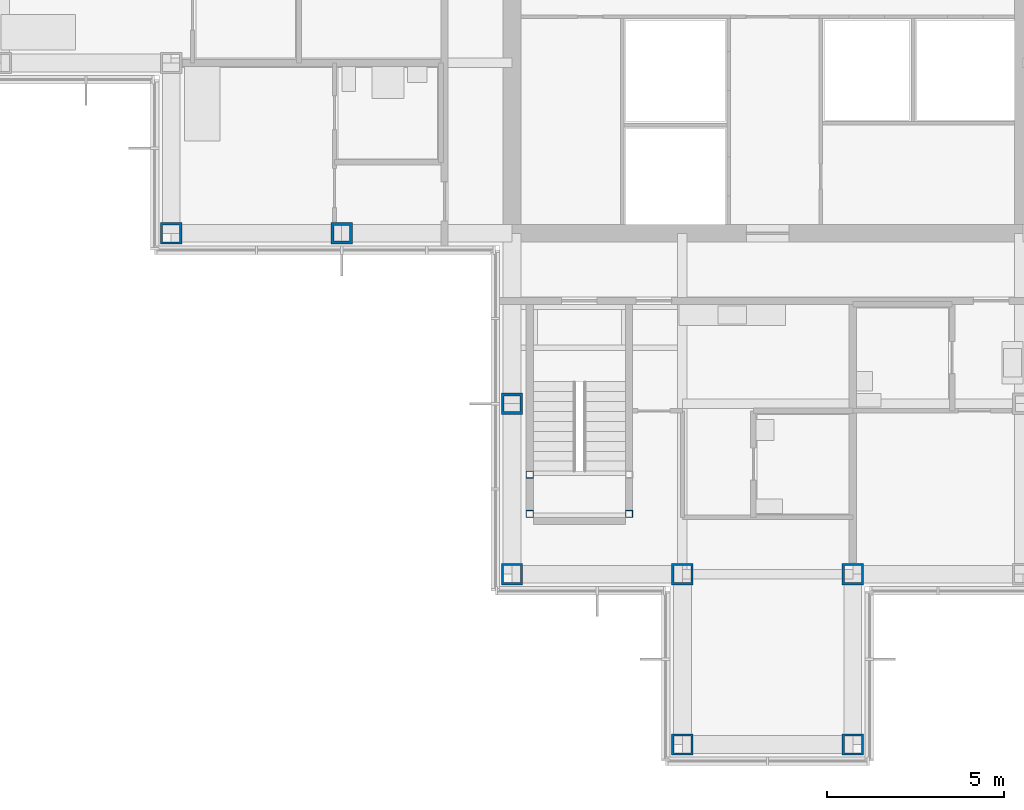
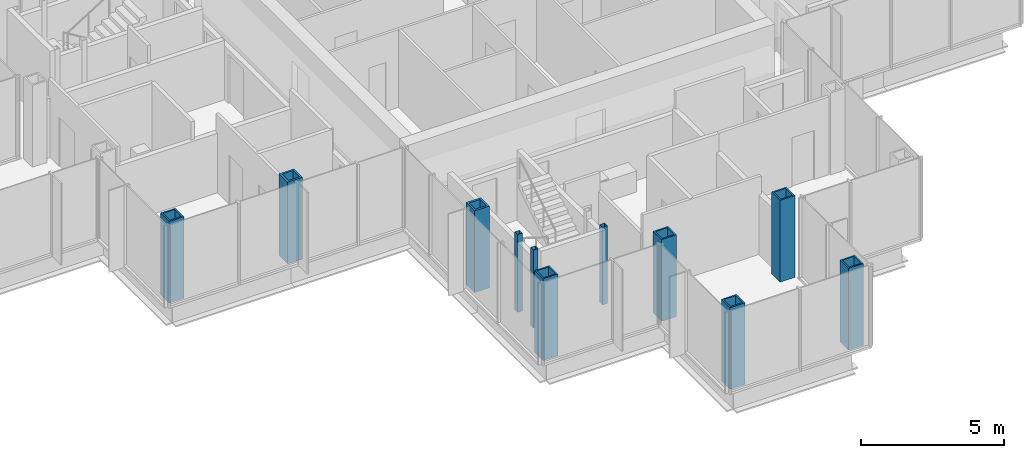
# One storey, part 1 of 17: 11 columns.
"""IFC4 building model written with IfcOpenShell, lengths in metres."""

from ifc_helpers import new_model, si_unit, direction, frame, origin, origin_2d, place, context, subcontext, project, spatial, hollow_rectangle, extrude, material, material_profile, profile_set, type_object, element, save


model = new_model("IFC4")

# Units and contexts
model_context = context("Model", 3, precision=1e-05, world=origin(), true_north=direction((0.0, 1.0)))
body_context = subcontext(model_context, "Body", "Model", "MODEL_VIEW")
ifc_project = project(units=[si_unit("LENGTHUNIT", "METRE"), si_unit("AREAUNIT", "SQUARE_METRE"), si_unit("VOLUMEUNIT", "CUBIC_METRE"), si_unit("PLANEANGLEUNIT", "RADIAN"), si_unit("MASSUNIT", "GRAM", prefix="KILO")], contexts=[model_context])

# Site, building, storey
site_placement = place(None, origin())
site = spatial("IfcSite", under=ifc_project, at=site_placement, CompositionType="ELEMENT")
building_placement = place(site_placement, origin())
building = spatial("IfcBuilding", under=site, at=building_placement, Name="Kvirike Care Tower", CompositionType="ELEMENT")
storey_placement = place(building_placement, frame((0.0, 0.0, 162.0)))
storey = spatial("IfcBuildingStorey", under=building, at=storey_placement, Name="L44", CompositionType="ELEMENT", Elevation=162.0)

# Columns
ifc_material_1 = material(Name="Steel S460", Category="steel")
ifc_material_profile_1 = material_profile(ifc_material_1, hollow_rectangle(XDim=0.60009765625, YDim=0.60009765625, WallThickness=0.06005859375, at=origin_2d()), Name="BX 600x600x60")
ifc_profile_set_1 = profile_set([ifc_material_profile_1], Name="Steel S460")
column_type_1 = type_object("IfcColumnType", Name="COLUMN BX 600x600x60", PredefinedType="COLUMN", material=ifc_profile_set_1)
for number, where, z_axis, x_axis, name in (
    (1, (4.800048828125, 28.800048828125, 0.0), (0.0, 0.0, 1.0), (0.0, 1.0, 0.0), "Column G4 L44"),
    (2, (14.39990234375, 19.199951171875, 0.0), (0.0, 0.0, 1.0), (0.0, 1.0, 0.0), "Column E6 L44"),
    (3, (19.199951171875, 14.39990234375, 0.0), (0.0, 0.0, 1.0), (0.0, 1.0, 0.0), "Column D7 L44"),
    (4, (19.199951171875, 19.199951171875, 0.0), (0.0, 0.0, 1.0), (0.0, 1.0, 0.0), "Column E7 L44"),
    (5, (24.0, 14.39990234375, 0.0), (0.0, 0.0, 1.0), (0.0, 1.0, 0.0), "Column D8 L44"),
    (6, (24.0, 19.199951171875, 0.0), (0.0, 0.0, 1.0), (0.0, 1.0, 0.0), "Column E8 L44"),
):
    element("IfcColumn", number, at=place(storey_placement, frame(where, z_axis=z_axis, x_axis=x_axis)), inside=storey, type_object=column_type_1, Name=name, PredefinedType="COLUMN", context=body_context, shape_type="SweptSolid", body=[
        extrude(hollow_rectangle(XDim=0.60009765625, YDim=0.60009765625, WallThickness=0.06005859375, at=origin_2d()), origin(), (0.0, 0.0, 1.0), 3.5),
    ])
ifc_material_2 = material(Name="Steel S460", Category="steel")
ifc_material_profile_2 = material_profile(ifc_material_2, hollow_rectangle(XDim=0.60009765625, YDim=0.60009765625, WallThickness=0.080078125, at=origin_2d()), Name="BX 600x600x80")
ifc_profile_set_2 = profile_set([ifc_material_profile_2], Name="Steel S460")
column_type_2 = type_object("IfcColumnType", Name="COLUMN BX 600x600x80", PredefinedType="COLUMN", material=ifc_profile_set_2)
for number, where, z_axis, x_axis, name in (
    (7, (9.60009765625, 28.800048828125, 0.0), (0.0, 0.0, 1.0), (0.0, 1.0, 0.0), "Column G5 L44"),
    (8, (14.39990234375, 24.0, 0.0), (0.0, 0.0, 1.0), (1.0, 0.0, 0.0), "Column F6 L44"),
):
    element("IfcColumn", number, at=place(storey_placement, frame(where, z_axis=z_axis, x_axis=x_axis)), inside=storey, type_object=column_type_2, Name=name, PredefinedType="COLUMN", context=body_context, shape_type="SweptSolid", body=[
        extrude(hollow_rectangle(XDim=0.60009765625, YDim=0.60009765625, WallThickness=0.080078125, at=origin_2d()), origin(), (0.0, 0.0, 1.0), 3.5),
    ])
ifc_material_3 = material(Name="Steel S460", Category="steel")
ifc_material_profile_3 = material_profile(ifc_material_3, hollow_rectangle(XDim=0.199951171875, YDim=0.199951171875, WallThickness=0.008056640625, at=origin_2d()), Name="SHS 200x200x8")
ifc_profile_set_3 = profile_set([ifc_material_profile_3], Name="Steel S460")
column_type_3 = type_object("IfcColumnType", Name="STAIR POST SHS 200x200x8", PredefinedType="COLUMN", material=ifc_profile_set_3)
for number, where, z_axis, x_axis, name in (
    (9, (14.89990234375, 20.89990234375, 0.0), (0.0, 0.0, 1.0), (1.0, 0.0, 0.0), "Stair 5 post 1 L44"),
    (10, (17.699951171875, 20.89990234375, 0.0), (0.0, 0.0, 1.0), (1.0, 0.0, 0.0), "Stair 5 post 2 L44"),
    (11, (14.89990234375, 22.0, 0.0), (0.0, 0.0, 1.0), (1.0, 0.0, 0.0), "Stair 5 post 3 L44"),
):
    element("IfcColumn", number, at=place(storey_placement, frame(where, z_axis=z_axis, x_axis=x_axis)), inside=storey, type_object=column_type_3, Name=name, PredefinedType="COLUMN", context=body_context, shape_type="SweptSolid", body=[
        extrude(hollow_rectangle(XDim=0.199951171875, YDim=0.199951171875, WallThickness=0.008056640625, at=origin_2d()), origin(), (0.0, 0.0, 1.0), 3.330078125),
    ])

save(model, "model.ifc")
